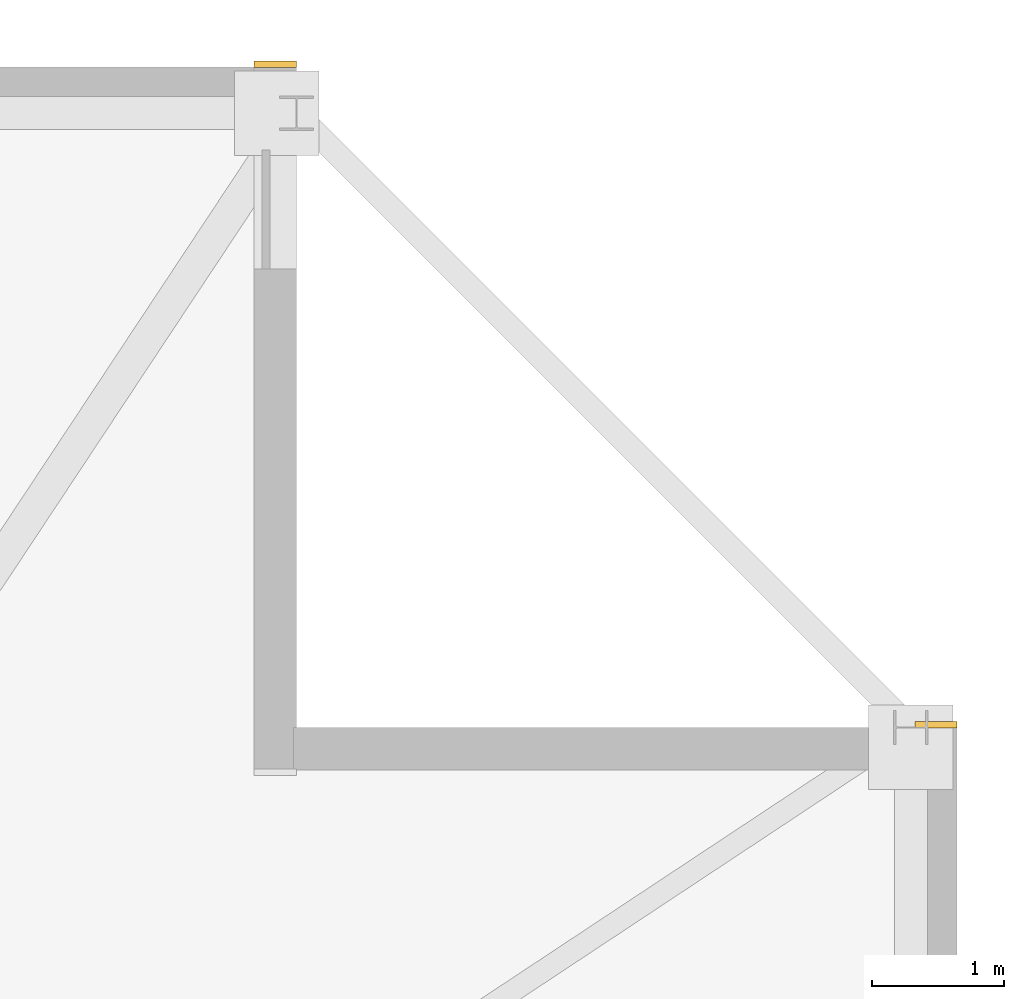
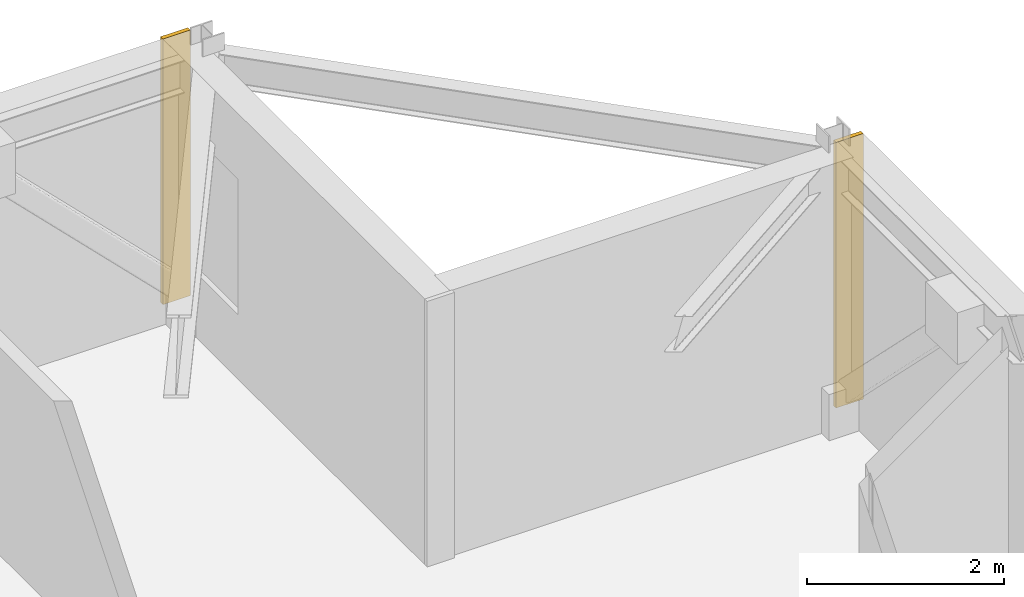
# One storey, part 17 of 17: 2 coverings.
"""IFC4 building model written with IfcOpenShell, lengths in metres."""

import ifcopenshell
import ifcopenshell.guid

model = None  # the IFC model being written
_history = None  # IfcOwnerHistory: only IFC2X3 demands one
_inside = {}  # id of a spatial element -> (the spatial element, [elements in it])
_under = {}  # id of a project, library or spatial element -> (it, [spatial elements below it])
_declared = {}  # id of a project -> (the project, [libraries it declares])
_typed = {}  # id of a type object -> (the type object, [elements of that type])
_made_of = {}  # id of a material, layer set ... -> (it, [elements and type objects made of it])


def new_model(schema):
    """Start an empty IFC model of exactly this schema.

    Asked for "IFC4X3", IfcOpenShell would pick the latest addendum, in which some entities
    have other attributes; the version numbers below select the first issue.
    IFC2X3 requires an IfcOwnerHistory on every rooted entity: one is made here for all.
    """
    global model, _history
    if schema == "IFC4X3":
        model = ifcopenshell.file(schema_version=(4, 3, 0, 0))
    else:
        model = ifcopenshell.file(schema=schema)
    _inside.clear()
    _under.clear()
    _declared.clear()
    _typed.clear()
    _made_of.clear()
    _history = None
    if model.schema == "IFC2X3":
        org = make("IfcOrganization", Name="unknown")
        user = make(
            "IfcPersonAndOrganization",
            ThePerson=make("IfcPerson", FamilyName="unknown"),
            TheOrganization=org,
        )
        app = make(
            "IfcApplication",
            ApplicationDeveloper=org,
            Version="unknown",
            ApplicationFullName="unknown",
            ApplicationIdentifier="unknown",
        )
        _history = make(
            "IfcOwnerHistory",
            OwningUser=user,
            OwningApplication=app,
            ChangeAction="ADDED",
            CreationDate=0,
        )
    return model


def make(cls, **values):
    """One entity of the class cls with the attributes given. An attribute that is None is left unset."""
    return model.create_entity(
        cls, **{name: value for name, value in values.items() if value is not None}
    )


def rooted(cls, **values):
    """An entity with a GlobalId (a new one), such as an element, a storey or a relation."""
    return make(cls, GlobalId=ifcopenshell.guid.new(), OwnerHistory=_history, **values)


def si_unit(unit_type, name, prefix=None):
    """IfcSIUnit, for example si_unit("LENGTHUNIT", "METRE", prefix="MILLI")."""
    return make("IfcSIUnit", UnitType=unit_type, Prefix=prefix, Name=name)


def assignment(units):
    """IfcUnitAssignment: the units of a project."""
    return None if units is None else make("IfcUnitAssignment", Units=units)


def point(xyz):
    """IfcCartesianPoint."""
    return None if xyz is None else make("IfcCartesianPoint", Coordinates=xyz)


def direction(xyz):
    """IfcDirection."""
    return None if xyz is None else make("IfcDirection", DirectionRatios=xyz)


def frame(location, z_axis=None, x_axis=None):
    """IfcAxis2Placement3D, a coordinate frame: its origin and axes. An axis left out is left unset."""
    return make(
        "IfcAxis2Placement3D",
        Location=point(location),
        Axis=direction(z_axis),
        RefDirection=direction(x_axis),
    )


def frame_2d(location, x_axis=None):
    """IfcAxis2Placement2D, a coordinate frame in the plane: its origin and x axis."""
    return make(
        "IfcAxis2Placement2D", Location=point(location), RefDirection=direction(x_axis)
    )


def origin():
    """The frame at (0, 0, 0) with its axes left unset."""
    return frame((0.0, 0.0, 0.0))


def place(relative_to, where):
    """IfcLocalPlacement: puts the frame where relative to a parent placement (None: the world)."""
    return make(
        "IfcLocalPlacement", PlacementRelTo=relative_to, RelativePlacement=where
    )


def context(
    kind, dimensions, precision=None, world=None, true_north=None, identifier=None
):
    """IfcGeometricRepresentationContext, for example the 3D "Model" context."""
    return make(
        "IfcGeometricRepresentationContext",
        ContextIdentifier=identifier,
        ContextType=kind,
        CoordinateSpaceDimension=dimensions,
        Precision=precision,
        WorldCoordinateSystem=world,
        TrueNorth=true_north,
    )


def subcontext(parent, identifier, kind, view, scale=None):
    """IfcGeometricRepresentationSubContext, for example "Body" below "Model"."""
    return make(
        "IfcGeometricRepresentationSubContext",
        ContextIdentifier=identifier,
        ContextType=kind,
        ParentContext=parent,
        TargetScale=scale,
        TargetView=view,
    )


def project(units=None, contexts=None):
    """IfcProject with its units and contexts."""
    return rooted(
        "IfcProject",
        Name="project",
        RepresentationContexts=contexts,
        UnitsInContext=assignment(units),
    )


def spatial(cls, under=None, at=None, **own):
    """A site, building, storey or space (cls), placed at a placement, below another one or the project."""
    s = rooted(cls, ObjectPlacement=at, **own)
    if under is not None:
        _under.setdefault(under.id(), (under, []))[1].append(s)
    return s


def profile(cls, at=None, kind="AREA", **sizes):
    """A parametric profile (cls). Its sizes go by their IFC names, for example OverallWidth=200.0."""
    return make(cls, ProfileType=kind, Position=at, **sizes)


def rectangle(**sizes):
    """IfcRectangleProfileDef."""
    return profile("IfcRectangleProfileDef", **sizes)


def extrude(swept, where, along, depth):
    """IfcExtrudedAreaSolid: the profile swept, set in the frame where, extruded along a direction by depth."""
    return make(
        "IfcExtrudedAreaSolid",
        SweptArea=swept,
        Position=where,
        ExtrudedDirection=direction(along),
        Depth=depth,
    )


def shape(context_of_items, identifier, shape_type, items):
    """IfcShapeRepresentation: the items that make up one representation, for example the "Body"."""
    return make(
        "IfcShapeRepresentation",
        ContextOfItems=context_of_items,
        RepresentationIdentifier=identifier,
        RepresentationType=shape_type,
        Items=items,
    )


def material(Name=None, Category=None):
    """IfcMaterial."""
    return make("IfcMaterial", Name=Name, Category=Category)


def layer(
    of_material, thickness, ventilated=None, Name=None, Category=None, Priority=None
):
    """IfcMaterialLayer: one layer of a wall or slab, of a material (None: an air gap)."""
    return make(
        "IfcMaterialLayer",
        Material=of_material,
        LayerThickness=thickness,
        IsVentilated=ventilated,
        Name=Name,
        Category=Category,
        Priority=Priority,
    )


def layer_set(layers, Name=None):
    """IfcMaterialLayerSet."""
    return make("IfcMaterialLayerSet", MaterialLayers=layers, LayerSetName=Name)


def made_of(thing, what):
    """Note that an element or type object is made of a material, layer set ...; save() writes the relation."""
    if what is not None:
        _made_of.setdefault(what.id(), (what, []))[1].append(thing)
    return thing


def type_object(cls, material=None, **own):
    """A type object (cls), such as IfcWallType, which elements share."""
    return made_of(rooted(cls, **own), material)


def element(
    cls,
    number,
    at=None,
    inside=None,
    cuts=None,
    type_object=None,
    material=None,
    context=None,
    identifier="Body",
    shape_type=None,
    held_by="IfcProductDefinitionShape",
    body=None,
    shapes=None,
    **own,
):
    """One element of the class cls, such as IfcWall. Its Tag is "e" and its number.

    at: its placement. inside: the storey or other place that contains it. cuts: it is an
    opening in that element (IfcRelVoidsElement). A single representation is given by context,
    identifier, shape_type and body (its items); several are given by shapes. held_by: the class
    of the entity that holds the representations. save() writes the other relations.
    """
    e = rooted(cls, Tag="e%d" % number, ObjectPlacement=at, **own)
    if body is not None:
        shapes = [shape(context, identifier, shape_type, body)]
    if shapes is not None:
        e.Representation = make(held_by, Representations=shapes)
    if inside is not None:
        _inside.setdefault(inside.id(), (inside, []))[1].append(e)
    if cuts is not None:
        rooted(
            "IfcRelVoidsElement", RelatingBuildingElement=cuts, RelatedOpeningElement=e
        )
    if type_object is not None:
        _typed.setdefault(type_object.id(), (type_object, []))[1].append(e)
    return made_of(e, material)


def aggregate(whole, parts):
    """IfcRelAggregates: a whole, such as a stair, and the parts it consists of."""
    return rooted("IfcRelAggregates", RelatingObject=whole, RelatedObjects=parts)


def save(model, path):
    """Write the relations noted so far, then the file.

    IfcRelAggregates (storeys below a building ...), IfcRelContainedInSpatialStructure (elements
    in a storey), IfcRelDefinesByType, IfcRelAssociatesMaterial and IfcRelDeclares: one each for
    every whole, place, type object, material and project.
    """
    for whole, parts in _under.values():
        aggregate(whole, parts)
    for where, things in _inside.values():
        rooted(
            "IfcRelContainedInSpatialStructure",
            RelatedElements=things,
            RelatingStructure=where,
        )
    for kind, things in _typed.values():
        rooted("IfcRelDefinesByType", RelatedObjects=things, RelatingType=kind)
    for what, things in _made_of.values():
        rooted("IfcRelAssociatesMaterial", RelatedObjects=things, RelatingMaterial=what)
    for by, libraries in _declared.values():
        rooted("IfcRelDeclares", RelatingContext=by, RelatedDefinitions=libraries)
    model.write(path)


model = new_model("IFC4")

# Units and contexts
model_context = context("Model", 3, precision=1e-05, world=origin(), true_north=direction((0.0, 1.0)))
body_context = subcontext(model_context, "Body", "Model", "MODEL_VIEW")
ifc_project = project(units=[si_unit("LENGTHUNIT", "METRE"), si_unit("AREAUNIT", "SQUARE_METRE"), si_unit("VOLUMEUNIT", "CUBIC_METRE"), si_unit("PLANEANGLEUNIT", "RADIAN"), si_unit("MASSUNIT", "GRAM", prefix="KILO")], contexts=[model_context])

# Site, building, storey
site_placement = place(None, origin())
site = spatial("IfcSite", under=ifc_project, at=site_placement, CompositionType="ELEMENT")
building_placement = place(site_placement, origin())
building = spatial("IfcBuilding", under=site, at=building_placement, Name="Cairnveth Concourse Tower", CompositionType="ELEMENT")
storey_placement = place(building_placement, frame((0.0, 0.0, 237.5)))
storey = spatial("IfcBuildingStorey", under=building, at=storey_placement, Name="L65", CompositionType="ELEMENT", Elevation=237.5)

# Coverings
ifc_material = material(Name="Dressed Melbourne Bluestone Cladding", Category="masonry")
ifc_layer = layer(ifc_material, 0.050048828125)
ifc_layer_set = layer_set([ifc_layer], Name="Dressed Melbourne Bluestone Cladding")
covering_type = type_object("IfcCoveringType", Name="DRESSED BLUESTONE PLINTH CLADDING 50", PredefinedType="CLADDING", material=ifc_layer_set)
for number, where, z_axis, x_axis, name in (
    (1, (69.179931640625, 61.52001953125, 0.0), (0.0, 0.0, 1.0), (1.0, 0.0, 0.0), "Melbourne Bluestone Corner Quoin L65-979"),
    (2, (74.179931640625, 56.52001953125, 0.0), (0.0, 0.0, 1.0), (1.0, 0.0, 0.0), "Melbourne Bluestone Corner Quoin L65-981"),
):
    element("IfcCovering", number, at=place(storey_placement, frame(where, z_axis=z_axis, x_axis=x_axis)), inside=storey, type_object=covering_type, Name=name, PredefinedType="CLADDING", context=body_context, shape_type="SweptSolid", body=[
        extrude(rectangle(XDim=0.320068359375, YDim=0.050048828125, at=frame_2d((0.16015625, 0.0))), origin(), (0.0, 0.0, 1.0), 3.2900390625),
    ])

save(model, "model.ifc")
